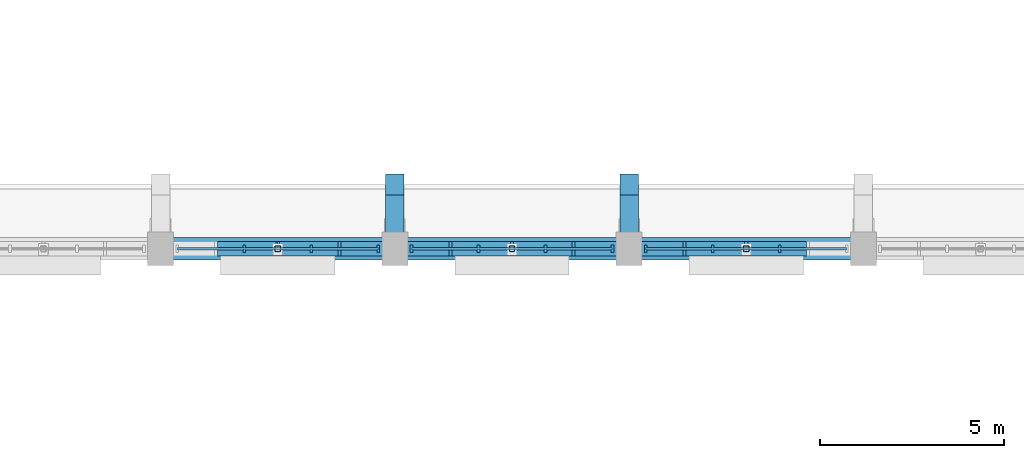
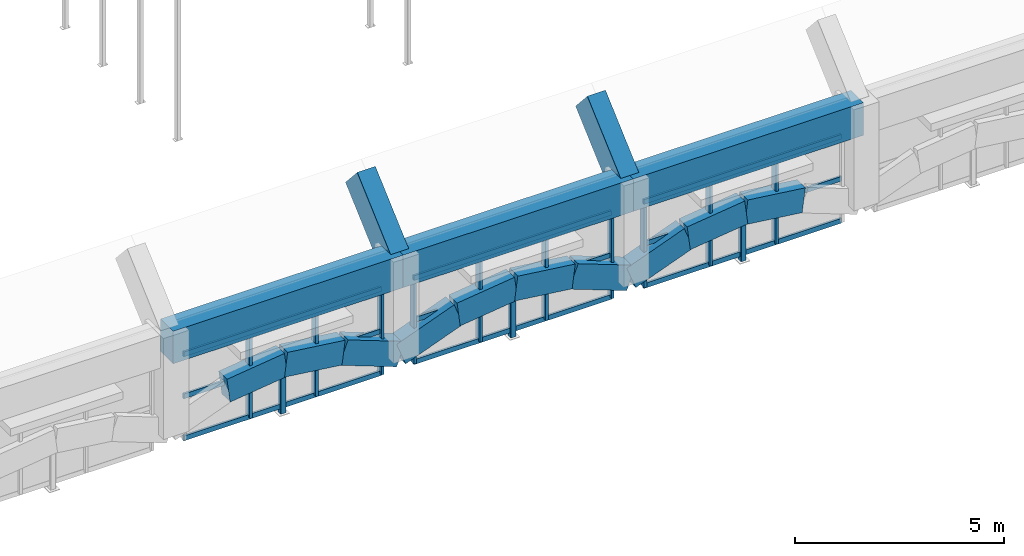
# One storey, part 17 of 77: 34 members, 3 beams, 3 elements without a shape of their own.
"""IFC4 building model written with IfcOpenShell, lengths in metres."""

from ifc_helpers import new_model, si_unit, direction, frame, origin, origin_2d, place, context, subcontext, project, spatial, rectangle, hollow_rectangle, extrude, material, layer, layer_set, material_profile, profile_set, type_object, element, aggregate, save


model = new_model("IFC4")

# Units and contexts
model_context = context("Model", 3, precision=1e-05, world=origin(), true_north=direction((0.0, 1.0)))
body_context = subcontext(model_context, "Body", "Model", "MODEL_VIEW")
ifc_project = project(units=[si_unit("LENGTHUNIT", "METRE"), si_unit("AREAUNIT", "SQUARE_METRE"), si_unit("VOLUMEUNIT", "CUBIC_METRE"), si_unit("PLANEANGLEUNIT", "RADIAN"), si_unit("MASSUNIT", "GRAM", prefix="KILO")], contexts=[model_context])

# Site, building, storey
site_placement = place(None, origin())
site = spatial("IfcSite", under=ifc_project, at=site_placement, CompositionType="ELEMENT")
building_placement = place(site_placement, origin())
building = spatial("IfcBuilding", under=site, at=building_placement, Name="Trellovar Central Fire Station", CompositionType="ELEMENT")
storey_placement = place(building_placement, frame((0.0, 0.0, 5.85009765625)))
storey = spatial("IfcBuildingStorey", under=building, at=storey_placement, Name="L02", CompositionType="ELEMENT", Elevation=5.85009765625)

# Beams
ifc_material_1 = material(Name="Concrete C40/50", Category="concrete")
ifc_material_profile_1 = material_profile(ifc_material_1, rectangle(XDim=0.60009765625, YDim=0.949951171875, at=origin_2d()), Name="RC600X950")
ifc_profile_set_1 = profile_set([ifc_material_profile_1], Name="Concrete C40/50")
beam_type = type_object("IfcBeamType", Name="BM-RG2", PredefinedType="BEAM", material=ifc_profile_set_1)
beam_1_placement = place(storey_placement, frame((47.699951171875, 14.0, 2.474853515625), z_axis=(1.0, 0.0, 0.0), x_axis=(0.0, 1.0, 0.0)))
element("IfcBeam", 1, at=beam_1_placement, inside=storey, type_object=beam_type, Name="V1 south vault springing ring beam", PredefinedType="BEAM", context=body_context, shape_type="SweptSolid", body=[
    extrude(rectangle(XDim=0.60009765625, YDim=0.949951171875, at=origin_2d()), origin(), (0.0, 0.0, 1.0), 6.35009765625),
])
beam_2_placement = place(storey_placement, frame((54.050048828125, 14.0, 2.474853515625), z_axis=(1.0, 0.0, 0.0), x_axis=(0.0, 1.0, 0.0)))
element("IfcBeam", 2, at=beam_2_placement, inside=storey, type_object=beam_type, Name="V1 south vault springing ring beam", PredefinedType="BEAM", context=body_context, shape_type="SweptSolid", body=[
    extrude(rectangle(XDim=0.60009765625, YDim=0.949951171875, at=origin_2d()), origin(), (0.0, 0.0, 1.0), 6.349853515625),
])
beam_3_placement = place(storey_placement, frame((60.39990234375, 14.0, 2.474853515625), z_axis=(1.0, 0.0, 0.0), x_axis=(0.0, 1.0, 0.0)))
element("IfcBeam", 3, at=beam_3_placement, inside=storey, type_object=beam_type, Name="V1 south vault springing ring beam", PredefinedType="BEAM", context=body_context, shape_type="SweptSolid", body=[
    extrude(rectangle(XDim=0.60009765625, YDim=0.949951171875, at=origin_2d()), origin(), (0.0, 0.0, 1.0), 6.35009765625),
])

# Curtain wall, members
ifc_material_2 = material(Name="Thermally broken bronze anodized aluminum", Category="aluminium")
ifc_layer = layer(ifc_material_2, 0.159912109375)
ifc_layer_set = layer_set([ifc_layer], Name="Thermally broken bronze anodized aluminum")
curtain_wall_type = type_object("IfcCurtainWallType", Name="CW-05", PredefinedType="NOTDEFINED", material=ifc_layer_set)
curtain_wall_1_placement = place(storey_placement, origin())
curtain_wall_1 = element("IfcCurtainWall", 4, at=curtain_wall_1_placement, inside=storey, type_object=curtain_wall_type, Name="V1 south upper clerestory 3", PredefinedType="NOTDEFINED")
ifc_material_3 = material(Name="Thermally broken bronze anodized aluminum", Category="aluminium")
ifc_material_profile_2 = material_profile(ifc_material_3, rectangle(XDim=0.074951171875, YDim=0.199951171875, at=origin_2d()), Name="ALU75X200")
ifc_profile_set_2 = profile_set([ifc_material_profile_2], Name="Thermally broken bronze anodized aluminum")
member_type_1 = type_object("IfcMemberType", Name="CWM-1", PredefinedType="MULLION", material=ifc_profile_set_2)
member_1_placement = place(storey_placement, frame((49.966796875, 14.0, -0.5), z_axis=(0.0, 0.0, 1.0), x_axis=(1.0, 0.0, 0.0)))
member_1 = element("IfcMember", 5, at=member_1_placement, type_object=member_type_1, Name="CW3-L02-0003 mullion 2", PredefinedType="MULLION", context=body_context, shape_type="SweptSolid", body=[
    extrude(rectangle(XDim=0.074951171875, YDim=0.199951171875, at=origin_2d()), origin(), (0.0, 0.0, 1.0), 2.449951171875),
])
member_2_placement = place(storey_placement, frame((51.783203125, 14.0, -0.5), z_axis=(0.0, 0.0, 1.0), x_axis=(1.0, 0.0, 0.0)))
member_2 = element("IfcMember", 6, at=member_2_placement, type_object=member_type_1, Name="CW3-L02-0003 mullion 3", PredefinedType="MULLION", context=body_context, shape_type="SweptSolid", body=[
    extrude(rectangle(XDim=0.074951171875, YDim=0.199951171875, at=origin_2d()), origin(), (0.0, 0.0, 1.0), 2.449951171875),
])
member_3_placement = place(storey_placement, frame((53.60009765625, 14.0, -0.5), z_axis=(0.0, 0.0, 1.0), x_axis=(1.0, 0.0, 0.0)))
member_3 = element("IfcMember", 7, at=member_3_placement, type_object=member_type_1, Name="CW3-L02-0003 mullion 4", PredefinedType="MULLION", context=body_context, shape_type="SweptSolid", body=[
    extrude(rectangle(XDim=0.074951171875, YDim=0.199951171875, at=origin_2d()), origin(), (0.0, 0.0, 1.0), 2.449951171875),
])

curtain_wall_2_placement = place(storey_placement, origin())
curtain_wall_2 = element("IfcCurtainWall", 8, at=curtain_wall_2_placement, inside=storey, type_object=curtain_wall_type, Name="V1 south upper clerestory 4", PredefinedType="NOTDEFINED")
member_4_placement = place(storey_placement, frame((54.5, 14.0, -0.5), z_axis=(0.0, 0.0, 1.0), x_axis=(1.0, 0.0, 0.0)))
member_4 = element("IfcMember", 9, at=member_4_placement, type_object=member_type_1, Name="CW3-L02-0004 mullion 1", PredefinedType="MULLION", context=body_context, shape_type="SweptSolid", body=[
    extrude(rectangle(XDim=0.074951171875, YDim=0.199951171875, at=origin_2d()), origin(), (0.0, 0.0, 1.0), 2.449951171875),
])
member_5_placement = place(storey_placement, frame((56.316650390625, 14.0, -0.5), z_axis=(0.0, 0.0, 1.0), x_axis=(1.0, 0.0, 0.0)))
member_5 = element("IfcMember", 10, at=member_5_placement, type_object=member_type_1, Name="CW3-L02-0004 mullion 2", PredefinedType="MULLION", context=body_context, shape_type="SweptSolid", body=[
    extrude(rectangle(XDim=0.074951171875, YDim=0.199951171875, at=origin_2d()), origin(), (0.0, 0.0, 1.0), 2.449951171875),
])
member_6_placement = place(storey_placement, frame((58.13330078125, 14.0, -0.5), z_axis=(0.0, 0.0, 1.0), x_axis=(1.0, 0.0, 0.0)))
member_6 = element("IfcMember", 11, at=member_6_placement, type_object=member_type_1, Name="CW3-L02-0004 mullion 3", PredefinedType="MULLION", context=body_context, shape_type="SweptSolid", body=[
    extrude(rectangle(XDim=0.074951171875, YDim=0.199951171875, at=origin_2d()), origin(), (0.0, 0.0, 1.0), 2.449951171875),
])
member_7_placement = place(storey_placement, frame((59.949951171875, 14.0, -0.5), z_axis=(0.0, 0.0, 1.0), x_axis=(1.0, 0.0, 0.0)))
member_7 = element("IfcMember", 12, at=member_7_placement, type_object=member_type_1, Name="CW3-L02-0004 mullion 4", PredefinedType="MULLION", context=body_context, shape_type="SweptSolid", body=[
    extrude(rectangle(XDim=0.074951171875, YDim=0.199951171875, at=origin_2d()), origin(), (0.0, 0.0, 1.0), 2.449951171875),
])

curtain_wall_3_placement = place(storey_placement, origin())
curtain_wall_3 = element("IfcCurtainWall", 13, at=curtain_wall_3_placement, inside=storey, type_object=curtain_wall_type, Name="V1 south upper clerestory 5", PredefinedType="NOTDEFINED")
member_8_placement = place(storey_placement, frame((60.85009765625, 14.0, -0.5), z_axis=(0.0, 0.0, 1.0), x_axis=(1.0, 0.0, 0.0)))
member_8 = element("IfcMember", 14, at=member_8_placement, type_object=member_type_1, Name="CW3-L02-0005 mullion 1", PredefinedType="MULLION", context=body_context, shape_type="SweptSolid", body=[
    extrude(rectangle(XDim=0.074951171875, YDim=0.199951171875, at=origin_2d()), origin(), (0.0, 0.0, 1.0), 2.449951171875),
])
member_9_placement = place(storey_placement, frame((62.666748046875, 14.0, -0.5), z_axis=(0.0, 0.0, 1.0), x_axis=(1.0, 0.0, 0.0)))
member_9 = element("IfcMember", 15, at=member_9_placement, type_object=member_type_1, Name="CW3-L02-0005 mullion 2", PredefinedType="MULLION", context=body_context, shape_type="SweptSolid", body=[
    extrude(rectangle(XDim=0.074951171875, YDim=0.199951171875, at=origin_2d()), origin(), (0.0, 0.0, 1.0), 2.449951171875),
])
member_10_placement = place(storey_placement, frame((64.4833984375, 14.0, -0.5), z_axis=(0.0, 0.0, 1.0), x_axis=(1.0, 0.0, 0.0)))
member_10 = element("IfcMember", 16, at=member_10_placement, type_object=member_type_1, Name="CW3-L02-0005 mullion 3", PredefinedType="MULLION", context=body_context, shape_type="SweptSolid", body=[
    extrude(rectangle(XDim=0.074951171875, YDim=0.199951171875, at=origin_2d()), origin(), (0.0, 0.0, 1.0), 2.449951171875),
])

# Member
ifc_material_4 = material(Name="Thermally broken bronze anodized aluminum", Category="aluminium")
ifc_material_profile_3 = material_profile(ifc_material_4, rectangle(XDim=0.06005859375, YDim=0.139892578125, at=origin_2d()), Name="ALU60X140")
ifc_profile_set_3 = profile_set([ifc_material_profile_3], Name="Thermally broken bronze anodized aluminum")
member_type_2 = type_object("IfcMemberType", Name="CWT-1", PredefinedType="USERDEFINED", material=ifc_profile_set_3)
member_11_placement = place(storey_placement, frame((48.14990234375, 14.0, -0.5), z_axis=(1.0, 0.0, 0.0), x_axis=(0.0, 1.0, 0.0)))
member_11 = element("IfcMember", 17, at=member_11_placement, type_object=member_type_2, Name="CW3-L02-0003 transom 1", ObjectType="TRANSOM", PredefinedType="USERDEFINED", context=body_context, shape_type="SweptSolid", body=[
    extrude(rectangle(XDim=0.06005859375, YDim=0.139892578125, at=origin_2d()), origin(), (0.0, 0.0, 1.0), 5.4501953125),
])

member_12_placement = place(storey_placement, frame((48.14990234375, 14.0, 0.724853515625), z_axis=(1.0, 0.0, 0.0), x_axis=(0.0, 1.0, 0.0)))
member_12 = element("IfcMember", 18, at=member_12_placement, type_object=member_type_2, Name="CW3-L02-0003 transom 2", ObjectType="TRANSOM", PredefinedType="USERDEFINED", context=body_context, shape_type="SweptSolid", body=[
    extrude(rectangle(XDim=0.06005859375, YDim=0.139892578125, at=origin_2d()), origin(), (0.0, 0.0, 1.0), 5.4501953125),
])

member_13_placement = place(storey_placement, frame((48.14990234375, 14.0, 1.949951171875), z_axis=(1.0, 0.0, 0.0), x_axis=(0.0, 1.0, 0.0)))
member_13 = element("IfcMember", 19, at=member_13_placement, type_object=member_type_2, Name="CW3-L02-0003 transom 3", ObjectType="TRANSOM", PredefinedType="USERDEFINED", context=body_context, shape_type="SweptSolid", body=[
    extrude(rectangle(XDim=0.06005859375, YDim=0.139892578125, at=origin_2d()), origin(), (0.0, 0.0, 1.0), 5.4501953125),
])

aggregate(curtain_wall_1, [member_1, member_2, member_3, member_11, member_12, member_13])

member_14_placement = place(storey_placement, frame((54.5, 14.0, -0.5), z_axis=(1.0, 0.0, 0.0), x_axis=(0.0, 1.0, 0.0)))
member_14 = element("IfcMember", 20, at=member_14_placement, type_object=member_type_2, Name="CW3-L02-0004 transom 1", ObjectType="TRANSOM", PredefinedType="USERDEFINED", context=body_context, shape_type="SweptSolid", body=[
    extrude(rectangle(XDim=0.06005859375, YDim=0.139892578125, at=origin_2d()), origin(), (0.0, 0.0, 1.0), 5.449951171875),
])

member_15_placement = place(storey_placement, frame((54.5, 14.0, 0.724853515625), z_axis=(1.0, 0.0, 0.0), x_axis=(0.0, 1.0, 0.0)))
member_15 = element("IfcMember", 21, at=member_15_placement, type_object=member_type_2, Name="CW3-L02-0004 transom 2", ObjectType="TRANSOM", PredefinedType="USERDEFINED", context=body_context, shape_type="SweptSolid", body=[
    extrude(rectangle(XDim=0.06005859375, YDim=0.139892578125, at=origin_2d()), origin(), (0.0, 0.0, 1.0), 5.449951171875),
])

member_16_placement = place(storey_placement, frame((54.5, 14.0, 1.949951171875), z_axis=(1.0, 0.0, 0.0), x_axis=(0.0, 1.0, 0.0)))
member_16 = element("IfcMember", 22, at=member_16_placement, type_object=member_type_2, Name="CW3-L02-0004 transom 3", ObjectType="TRANSOM", PredefinedType="USERDEFINED", context=body_context, shape_type="SweptSolid", body=[
    extrude(rectangle(XDim=0.06005859375, YDim=0.139892578125, at=origin_2d()), origin(), (0.0, 0.0, 1.0), 5.449951171875),
])

aggregate(curtain_wall_2, [member_4, member_5, member_6, member_7, member_14, member_15, member_16])

member_17_placement = place(storey_placement, frame((60.85009765625, 14.0, -0.5), z_axis=(1.0, 0.0, 0.0), x_axis=(0.0, 1.0, 0.0)))
member_17 = element("IfcMember", 23, at=member_17_placement, type_object=member_type_2, Name="CW3-L02-0005 transom 1", ObjectType="TRANSOM", PredefinedType="USERDEFINED", context=body_context, shape_type="SweptSolid", body=[
    extrude(rectangle(XDim=0.06005859375, YDim=0.139892578125, at=origin_2d()), origin(), (0.0, 0.0, 1.0), 5.449951171875),
])

member_18_placement = place(storey_placement, frame((60.85009765625, 14.0, 0.724853515625), z_axis=(1.0, 0.0, 0.0), x_axis=(0.0, 1.0, 0.0)))
member_18 = element("IfcMember", 24, at=member_18_placement, type_object=member_type_2, Name="CW3-L02-0005 transom 2", ObjectType="TRANSOM", PredefinedType="USERDEFINED", context=body_context, shape_type="SweptSolid", body=[
    extrude(rectangle(XDim=0.06005859375, YDim=0.139892578125, at=origin_2d()), origin(), (0.0, 0.0, 1.0), 5.449951171875),
])

member_19_placement = place(storey_placement, frame((60.85009765625, 14.0, 1.949951171875), z_axis=(1.0, 0.0, 0.0), x_axis=(0.0, 1.0, 0.0)))
member_19 = element("IfcMember", 25, at=member_19_placement, type_object=member_type_2, Name="CW3-L02-0005 transom 3", ObjectType="TRANSOM", PredefinedType="USERDEFINED", context=body_context, shape_type="SweptSolid", body=[
    extrude(rectangle(XDim=0.06005859375, YDim=0.139892578125, at=origin_2d()), origin(), (0.0, 0.0, 1.0), 5.449951171875),
])

aggregate(curtain_wall_3, [member_8, member_9, member_10, member_17, member_18, member_19])

# Members
ifc_material_5 = material(Name="Concrete C40/50", Category="concrete")
ifc_material_profile_4 = material_profile(ifc_material_5, rectangle(XDim=0.5, YDim=0.85009765625, at=origin_2d()), Name="RC500X850")
ifc_profile_set_4 = profile_set([ifc_material_profile_4], Name="Concrete C40/50")
member_type_3 = type_object("IfcMemberType", Name="MEM-AR2", PredefinedType="CHORD", material=ifc_profile_set_4)
for number, where, z_axis, x_axis, name in (
    (26, (54.050048828125, 14.0, 2.5), (0.0, 0.744410696022, 0.667722034718), (-1.0, 0.0, 0.0), "Parabolic arch rib AR-04 chord 01"),
    (27, (60.39990234375, 14.0, 2.5), (0.0, 0.744410696022, 0.667722034718), (-1.0, 0.0, 0.0), "Parabolic arch rib AR-05 chord 01"),
):
    element("IfcMember", number, at=place(storey_placement, frame(where, z_axis=z_axis, x_axis=x_axis)), inside=storey, type_object=member_type_3, Name=name, PredefinedType="CHORD", context=body_context, shape_type="SweptSolid", body=[
        extrude(rectangle(XDim=0.5, YDim=0.85009765625, at=origin_2d()), origin(), (0.0, 0.0, 1.0), 2.34619140625),
    ])
ifc_material_6 = material(Name="Concrete C40/50", Category="concrete")
ifc_material_profile_5 = material_profile(ifc_material_6, rectangle(XDim=0.39990234375, YDim=0.699951171875, at=origin_2d()), Name="RC400X700")
ifc_profile_set_5 = profile_set([ifc_material_profile_5], Name="Concrete C40/50")
member_type_4 = type_object("IfcMemberType", Name="MEM-LR1", PredefinedType="CHORD", material=ifc_profile_set_5)
for number, where, z_axis, x_axis, name in (
    (28, (49.28759765625, 14.0, 0.599853515625), (0.992160053116, 0.0, 0.124973713242), (0.0, 1.0, 0.0), "V1 south bay 3 parabolic portal arch seg 2"),
    (29, (50.875, 14.0, 0.7998046875), (0.992160053116, 0.0, -0.124973713242), (0.0, 1.0, 0.0), "V1 south bay 3 parabolic portal arch seg 3"),
):
    element("IfcMember", number, at=place(storey_placement, frame(where, z_axis=z_axis, x_axis=x_axis)), inside=storey, type_object=member_type_4, Name=name, PredefinedType="CHORD", context=body_context, shape_type="SweptSolid", body=[
        extrude(rectangle(XDim=0.39990234375, YDim=0.699951171875, at=origin_2d()), origin(), (0.0, 0.0, 1.0), 1.599853515625),
    ])
member_20_placement = place(storey_placement, frame((52.46240234375, 14.0, 0.599853515625), z_axis=(0.935457297546, 0.0, -0.353439732442), x_axis=(0.0, 1.0, 0.0)))
element("IfcMember", 30, at=member_20_placement, inside=storey, type_object=member_type_4, Name="V1 south bay 3 parabolic portal arch seg 4", PredefinedType="CHORD", context=body_context, shape_type="SweptSolid", body=[
    extrude(rectangle(XDim=0.39990234375, YDim=0.699951171875, at=origin_2d()), origin(), (0.0, 0.0, 1.0), 1.697265625),
])
member_21_placement = place(storey_placement, frame((54.050048828125, 14.0, 0.0), z_axis=(0.935439324213, 0.0, 0.35348729923), x_axis=(0.0, 1.0, 0.0)))
element("IfcMember", 31, at=member_21_placement, inside=storey, type_object=member_type_4, Name="V1 south bay 4 parabolic portal arch seg 1", PredefinedType="CHORD", context=body_context, shape_type="SweptSolid", body=[
    extrude(rectangle(XDim=0.39990234375, YDim=0.699951171875, at=origin_2d()), origin(), (0.0, 0.0, 1.0), 1.697021484375),
])
member_22_placement = place(storey_placement, frame((55.637451171875, 14.0, 0.599853515625), z_axis=(0.992162435838, 0.0, 0.124954795472), x_axis=(0.0, 1.0, 0.0)))
element("IfcMember", 32, at=member_22_placement, inside=storey, type_object=member_type_4, Name="V1 south bay 4 parabolic portal arch seg 2", PredefinedType="CHORD", context=body_context, shape_type="SweptSolid", body=[
    extrude(rectangle(XDim=0.39990234375, YDim=0.699951171875, at=origin_2d()), origin(), (0.0, 0.0, 1.0), 1.60009765625),
])
member_23_placement = place(storey_placement, frame((57.22509765625, 14.0, 0.7998046875), z_axis=(0.992160053116, 0.0, -0.124973713242), x_axis=(0.0, 1.0, 0.0)))
element("IfcMember", 33, at=member_23_placement, inside=storey, type_object=member_type_4, Name="V1 south bay 4 parabolic portal arch seg 3", PredefinedType="CHORD", context=body_context, shape_type="SweptSolid", body=[
    extrude(rectangle(XDim=0.39990234375, YDim=0.699951171875, at=origin_2d()), origin(), (0.0, 0.0, 1.0), 1.599853515625),
])
member_24_placement = place(storey_placement, frame((58.8125, 14.0, 0.599853515625), z_axis=(0.935439324213, 0.0, -0.35348729923), x_axis=(0.0, 1.0, 0.0)))
element("IfcMember", 34, at=member_24_placement, inside=storey, type_object=member_type_4, Name="V1 south bay 4 parabolic portal arch seg 4", PredefinedType="CHORD", context=body_context, shape_type="SweptSolid", body=[
    extrude(rectangle(XDim=0.39990234375, YDim=0.699951171875, at=origin_2d()), origin(), (0.0, 0.0, 1.0), 1.697021484375),
])
member_25_placement = place(storey_placement, frame((60.39990234375, 14.0, 0.0), z_axis=(0.935457297546, 0.0, 0.353439732442), x_axis=(0.0, 1.0, 0.0)))
element("IfcMember", 35, at=member_25_placement, inside=storey, type_object=member_type_4, Name="V1 south bay 5 parabolic portal arch seg 1", PredefinedType="CHORD", context=body_context, shape_type="SweptSolid", body=[
    extrude(rectangle(XDim=0.39990234375, YDim=0.699951171875, at=origin_2d()), origin(), (0.0, 0.0, 1.0), 1.697265625),
])
member_26_placement = place(storey_placement, frame((61.987548828125, 14.0, 0.599853515625), z_axis=(0.992160053116, 0.0, 0.124973713242), x_axis=(0.0, 1.0, 0.0)))
element("IfcMember", 36, at=member_26_placement, inside=storey, type_object=member_type_4, Name="V1 south bay 5 parabolic portal arch seg 2", PredefinedType="CHORD", context=body_context, shape_type="SweptSolid", body=[
    extrude(rectangle(XDim=0.39990234375, YDim=0.699951171875, at=origin_2d()), origin(), (0.0, 0.0, 1.0), 1.599853515625),
])
member_27_placement = place(storey_placement, frame((63.574951171875, 14.0, 0.7998046875), z_axis=(0.992162435838, 0.0, -0.124954795472), x_axis=(0.0, 1.0, 0.0)))
element("IfcMember", 37, at=member_27_placement, inside=storey, type_object=member_type_4, Name="V1 south bay 5 parabolic portal arch seg 3", PredefinedType="CHORD", context=body_context, shape_type="SweptSolid", body=[
    extrude(rectangle(XDim=0.39990234375, YDim=0.699951171875, at=origin_2d()), origin(), (0.0, 0.0, 1.0), 1.60009765625),
])
ifc_material_7 = material(Name="Steel ASTM A500 Grade C", Category="steel")
ifc_material_profile_6 = material_profile(ifc_material_7, hollow_rectangle(XDim=0.15234375, YDim=0.15234375, WallThickness=0.0087890625, InnerFilletRadius=0.0087890625, OuterFilletRadius=0.017822265625, at=origin_2d()), Name="HSS6X6X3/8")
ifc_profile_set_6 = profile_set([ifc_material_profile_6], Name="Steel ASTM A500 Grade C")
member_type_5 = type_object("IfcMemberType", Name="MEM-ST1", PredefinedType="STRUT", material=ifc_profile_set_6)
for number, where, z_axis, x_axis, name in (
    (38, (50.875, 14.0, -0.7001953125), (0.0, 0.0, 1.0), (1.0, 0.0, 0.0), "V1 south bay 3 parabolic portal arch keystone post"),
    (39, (57.22509765625, 14.0, -0.7001953125), (0.0, 0.0, 1.0), (1.0, 0.0, 0.0), "V1 south bay 4 parabolic portal arch keystone post"),
    (40, (63.574951171875, 14.0, -0.7001953125), (0.0, 0.0, 1.0), (1.0, 0.0, 0.0), "V1 south bay 5 parabolic portal arch keystone post"),
):
    element("IfcMember", number, at=place(storey_placement, frame(where, z_axis=z_axis, x_axis=x_axis)), inside=storey, type_object=member_type_5, Name=name, PredefinedType="STRUT", context=body_context, shape_type="SweptSolid", body=[
        extrude(hollow_rectangle(XDim=0.15234375, YDim=0.15234375, WallThickness=0.0087890625, InnerFilletRadius=0.0087890625, OuterFilletRadius=0.017822265625, at=origin_2d()), origin(), (0.0, 0.0, 1.0), 1.5),
    ])

save(model, "model.ifc")
